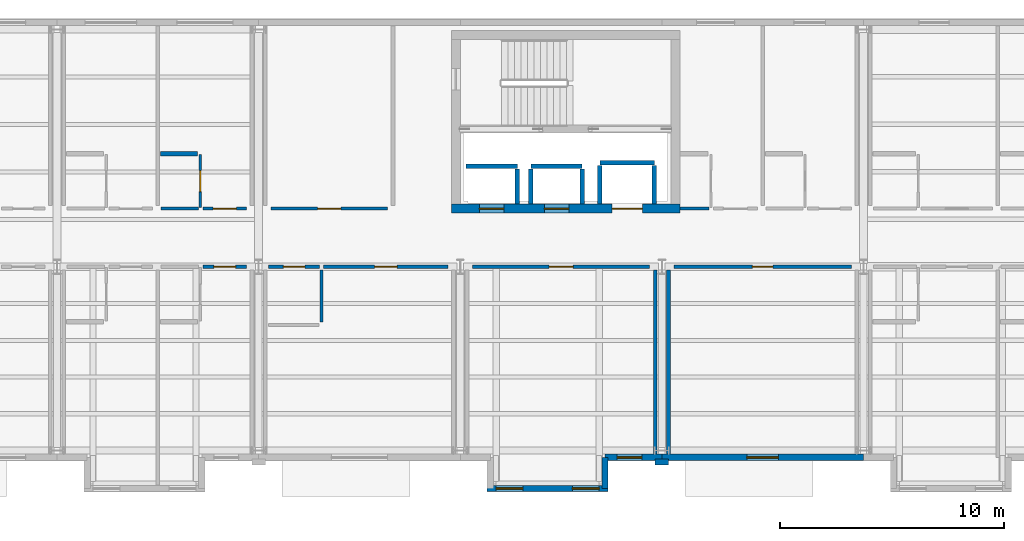
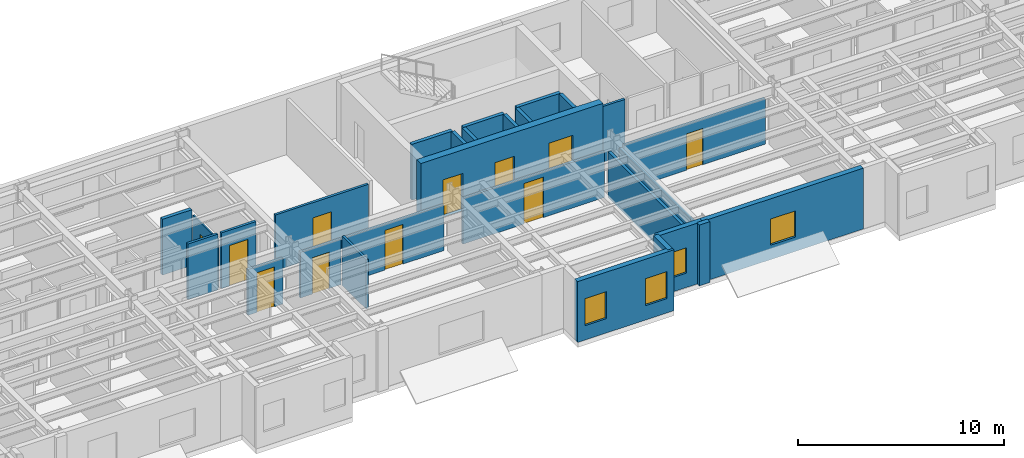
# One storey, part 18 of 34: 28 walls, 11 doors, 4 windows, 15 openings.
"""IFC4 building model written with IfcOpenShell, lengths in metres."""

import ifcopenshell
import ifcopenshell.guid

model = None  # the IFC model being written
_history = None  # IfcOwnerHistory: only IFC2X3 demands one
_inside = {}  # id of a spatial element -> (the spatial element, [elements in it])
_under = {}  # id of a project, library or spatial element -> (it, [spatial elements below it])
_declared = {}  # id of a project -> (the project, [libraries it declares])
_typed = {}  # id of a type object -> (the type object, [elements of that type])
_made_of = {}  # id of a material, layer set ... -> (it, [elements and type objects made of it])


def new_model(schema):
    """Start an empty IFC model of exactly this schema.

    Asked for "IFC4X3", IfcOpenShell would pick the latest addendum, in which some entities
    have other attributes; the version numbers below select the first issue.
    IFC2X3 requires an IfcOwnerHistory on every rooted entity: one is made here for all.
    """
    global model, _history
    if schema == "IFC4X3":
        model = ifcopenshell.file(schema_version=(4, 3, 0, 0))
    else:
        model = ifcopenshell.file(schema=schema)
    _inside.clear()
    _under.clear()
    _declared.clear()
    _typed.clear()
    _made_of.clear()
    _history = None
    if model.schema == "IFC2X3":
        org = make("IfcOrganization", Name="unknown")
        user = make(
            "IfcPersonAndOrganization",
            ThePerson=make("IfcPerson", FamilyName="unknown"),
            TheOrganization=org,
        )
        app = make(
            "IfcApplication",
            ApplicationDeveloper=org,
            Version="unknown",
            ApplicationFullName="unknown",
            ApplicationIdentifier="unknown",
        )
        _history = make(
            "IfcOwnerHistory",
            OwningUser=user,
            OwningApplication=app,
            ChangeAction="ADDED",
            CreationDate=0,
        )
    return model


def make(cls, **values):
    """One entity of the class cls with the attributes given. An attribute that is None is left unset."""
    return model.create_entity(
        cls, **{name: value for name, value in values.items() if value is not None}
    )


def rooted(cls, **values):
    """An entity with a GlobalId (a new one), such as an element, a storey or a relation."""
    return make(cls, GlobalId=ifcopenshell.guid.new(), OwnerHistory=_history, **values)


def si_unit(unit_type, name, prefix=None):
    """IfcSIUnit, for example si_unit("LENGTHUNIT", "METRE", prefix="MILLI")."""
    return make("IfcSIUnit", UnitType=unit_type, Prefix=prefix, Name=name)


def assignment(units):
    """IfcUnitAssignment: the units of a project."""
    return None if units is None else make("IfcUnitAssignment", Units=units)


def point(xyz):
    """IfcCartesianPoint."""
    return None if xyz is None else make("IfcCartesianPoint", Coordinates=xyz)


def direction(xyz):
    """IfcDirection."""
    return None if xyz is None else make("IfcDirection", DirectionRatios=xyz)


def frame(location, z_axis=None, x_axis=None):
    """IfcAxis2Placement3D, a coordinate frame: its origin and axes. An axis left out is left unset."""
    return make(
        "IfcAxis2Placement3D",
        Location=point(location),
        Axis=direction(z_axis),
        RefDirection=direction(x_axis),
    )


def frame_2d(location, x_axis=None):
    """IfcAxis2Placement2D, a coordinate frame in the plane: its origin and x axis."""
    return make(
        "IfcAxis2Placement2D", Location=point(location), RefDirection=direction(x_axis)
    )


def origin():
    """The frame at (0, 0, 0) with its axes left unset."""
    return frame((0.0, 0.0, 0.0))


def place(relative_to, where):
    """IfcLocalPlacement: puts the frame where relative to a parent placement (None: the world)."""
    return make(
        "IfcLocalPlacement", PlacementRelTo=relative_to, RelativePlacement=where
    )


def context(
    kind, dimensions, precision=None, world=None, true_north=None, identifier=None
):
    """IfcGeometricRepresentationContext, for example the 3D "Model" context."""
    return make(
        "IfcGeometricRepresentationContext",
        ContextIdentifier=identifier,
        ContextType=kind,
        CoordinateSpaceDimension=dimensions,
        Precision=precision,
        WorldCoordinateSystem=world,
        TrueNorth=true_north,
    )


def subcontext(parent, identifier, kind, view, scale=None):
    """IfcGeometricRepresentationSubContext, for example "Body" below "Model"."""
    return make(
        "IfcGeometricRepresentationSubContext",
        ContextIdentifier=identifier,
        ContextType=kind,
        ParentContext=parent,
        TargetScale=scale,
        TargetView=view,
    )


def project(units=None, contexts=None):
    """IfcProject with its units and contexts."""
    return rooted(
        "IfcProject",
        Name="project",
        RepresentationContexts=contexts,
        UnitsInContext=assignment(units),
    )


def spatial(cls, under=None, at=None, **own):
    """A site, building, storey or space (cls), placed at a placement, below another one or the project."""
    s = rooted(cls, ObjectPlacement=at, **own)
    if under is not None:
        _under.setdefault(under.id(), (under, []))[1].append(s)
    return s


def profile(cls, at=None, kind="AREA", **sizes):
    """A parametric profile (cls). Its sizes go by their IFC names, for example OverallWidth=200.0."""
    return make(cls, ProfileType=kind, Position=at, **sizes)


def rectangle(**sizes):
    """IfcRectangleProfileDef."""
    return profile("IfcRectangleProfileDef", **sizes)


def extrude(swept, where, along, depth):
    """IfcExtrudedAreaSolid: the profile swept, set in the frame where, extruded along a direction by depth."""
    return make(
        "IfcExtrudedAreaSolid",
        SweptArea=swept,
        Position=where,
        ExtrudedDirection=direction(along),
        Depth=depth,
    )


def shape(context_of_items, identifier, shape_type, items):
    """IfcShapeRepresentation: the items that make up one representation, for example the "Body"."""
    return make(
        "IfcShapeRepresentation",
        ContextOfItems=context_of_items,
        RepresentationIdentifier=identifier,
        RepresentationType=shape_type,
        Items=items,
    )


def material(Name=None, Category=None):
    """IfcMaterial."""
    return make("IfcMaterial", Name=Name, Category=Category)


def layer(
    of_material, thickness, ventilated=None, Name=None, Category=None, Priority=None
):
    """IfcMaterialLayer: one layer of a wall or slab, of a material (None: an air gap)."""
    return make(
        "IfcMaterialLayer",
        Material=of_material,
        LayerThickness=thickness,
        IsVentilated=ventilated,
        Name=Name,
        Category=Category,
        Priority=Priority,
    )


def layer_set(layers, Name=None):
    """IfcMaterialLayerSet."""
    return make("IfcMaterialLayerSet", MaterialLayers=layers, LayerSetName=Name)


def made_of(thing, what):
    """Note that an element or type object is made of a material, layer set ...; save() writes the relation."""
    if what is not None:
        _made_of.setdefault(what.id(), (what, []))[1].append(thing)
    return thing


def type_object(cls, material=None, **own):
    """A type object (cls), such as IfcWallType, which elements share."""
    return made_of(rooted(cls, **own), material)


def element(
    cls,
    number,
    at=None,
    inside=None,
    cuts=None,
    type_object=None,
    material=None,
    context=None,
    identifier="Body",
    shape_type=None,
    held_by="IfcProductDefinitionShape",
    body=None,
    shapes=None,
    **own,
):
    """One element of the class cls, such as IfcWall. Its Tag is "e" and its number.

    at: its placement. inside: the storey or other place that contains it. cuts: it is an
    opening in that element (IfcRelVoidsElement). A single representation is given by context,
    identifier, shape_type and body (its items); several are given by shapes. held_by: the class
    of the entity that holds the representations. save() writes the other relations.
    """
    e = rooted(cls, Tag="e%d" % number, ObjectPlacement=at, **own)
    if body is not None:
        shapes = [shape(context, identifier, shape_type, body)]
    if shapes is not None:
        e.Representation = make(held_by, Representations=shapes)
    if inside is not None:
        _inside.setdefault(inside.id(), (inside, []))[1].append(e)
    if cuts is not None:
        rooted(
            "IfcRelVoidsElement", RelatingBuildingElement=cuts, RelatedOpeningElement=e
        )
    if type_object is not None:
        _typed.setdefault(type_object.id(), (type_object, []))[1].append(e)
    return made_of(e, material)


def fill(opening, filler):
    """IfcRelFillsElement: the door or window that sits in an opening."""
    return rooted(
        "IfcRelFillsElement",
        RelatingOpeningElement=opening,
        RelatedBuildingElement=filler,
    )


def aggregate(whole, parts):
    """IfcRelAggregates: a whole, such as a stair, and the parts it consists of."""
    return rooted("IfcRelAggregates", RelatingObject=whole, RelatedObjects=parts)


def save(model, path):
    """Write the relations noted so far, then the file.

    IfcRelAggregates (storeys below a building ...), IfcRelContainedInSpatialStructure (elements
    in a storey), IfcRelDefinesByType, IfcRelAssociatesMaterial and IfcRelDeclares: one each for
    every whole, place, type object, material and project.
    """
    for whole, parts in _under.values():
        aggregate(whole, parts)
    for where, things in _inside.values():
        rooted(
            "IfcRelContainedInSpatialStructure",
            RelatedElements=things,
            RelatingStructure=where,
        )
    for kind, things in _typed.values():
        rooted("IfcRelDefinesByType", RelatedObjects=things, RelatingType=kind)
    for what, things in _made_of.values():
        rooted("IfcRelAssociatesMaterial", RelatedObjects=things, RelatingMaterial=what)
    for by, libraries in _declared.values():
        rooted("IfcRelDeclares", RelatingContext=by, RelatedDefinitions=libraries)
    model.write(path)


model = new_model("IFC4")

# Units and contexts
model_context = context("Model", 3, precision=1e-05, world=origin(), true_north=direction((0.0, 1.0)))
body_context = subcontext(model_context, "Body", "Model", "MODEL_VIEW")
ifc_project = project(units=[si_unit("LENGTHUNIT", "METRE"), si_unit("AREAUNIT", "SQUARE_METRE"), si_unit("VOLUMEUNIT", "CUBIC_METRE"), si_unit("PLANEANGLEUNIT", "RADIAN"), si_unit("MASSUNIT", "GRAM", prefix="KILO")], contexts=[model_context])

# Site, building, storey
site_placement = place(None, origin())
site = spatial("IfcSite", under=ifc_project, at=site_placement, CompositionType="ELEMENT")
building_placement = place(site_placement, origin())
building = spatial("IfcBuilding", under=site, at=building_placement, Name="Sollismere Congress Hotel", CompositionType="ELEMENT")
storey_placement = place(building_placement, frame((0.0, 0.0, 23.39990234375)))
storey = spatial("IfcBuildingStorey", under=building, at=storey_placement, Name="L05", CompositionType="ELEMENT", Elevation=23.39990234375)

# Wall, opening, window
ifc_material_1 = material(Name="Colorado Buff Sandstone Rainscreen on Insulated Backup", Category="masonry")
ifc_layer_1 = layer(ifc_material_1, 0.284912109375, Name="Colorado Buff Sandstone Rainscreen on Insulated Backup")
ifc_layer_set_1 = layer_set([ifc_layer_1], Name="Colorado Buff Sandstone Rainscreen on Insulated Backup")
wall_type_1 = type_object("IfcWallType", Name="WL-EXT285", PredefinedType="STANDARD", material=ifc_layer_set_1)
wall_1_placement = place(storey_placement, frame((100.4599609375, -0.31005859375, 0.0), z_axis=(0.0, 0.0, 1.0), x_axis=(1.0, 0.0, 0.0)))
wall_1 = element("IfcWall", 1, at=wall_1_placement, inside=storey, type_object=wall_type_1, Name="Exterior wall EW-L05-586", PredefinedType="STANDARD", context=body_context, shape_type="SweptSolid", body=[
    extrude(rectangle(XDim=2.5400390625, YDim=0.284912109375, at=frame_2d((1.27001953125, 0.0))), origin(), (0.0, 0.0, 1.0), 3.60009765625),
])
opening_1_placement = place(wall_1_placement, frame((0.544921875, 0.0, 0.85009765625)))
opening_1 = element("IfcOpeningElement", 2, at=opening_1_placement, cuts=wall_1, Name="Opening W-L05-439", PredefinedType="OPENING", context=body_context, shape_type="SweptSolid", body=[
    extrude(rectangle(XDim=1.10009765625, YDim=1.5, at=frame_2d((0.550048828125, 0.75))), frame((0.0, 0.15234375, 0.0), z_axis=(0.0, -1.0, 0.0), x_axis=(1.0, 0.0, 0.0)), (0.0, 0.0, 1.0), 0.304931640625),
])
ifc_material_2 = material(Name="Thermally Broken Bronze Aluminum & Low-E Glass", Category="aluminium")
window_type_1 = type_object("IfcWindowType", Name="WN-P110x150", PartitioningType="SINGLE_PANEL", PredefinedType="WINDOW", material=ifc_material_2)
window_1_placement = place(opening_1_placement, origin())
window_1 = element("IfcWindow", 3, at=window_1_placement, inside=storey, type_object=window_type_1, Name="WIN-W-L05-439", OverallHeight=1.5, OverallWidth=1.10009765625, PartitioningType="SINGLE_PANEL", PredefinedType="WINDOW", context=body_context, shape_type="SweptSolid", body=[
    extrude(rectangle(XDim=1.10009765625, YDim=1.5, at=frame_2d((0.550048828125, 0.75))), frame((0.0, 0.030029296875, 0.0), z_axis=(0.0, -1.0, 0.0), x_axis=(1.0, 0.0, 0.0)), (0.0, 0.0, 1.0), 0.06005859375),
])
fill(opening_1, window_1)

# Wall, openings, windows
wall_2_placement = place(storey_placement, frame((95.199951171875, -1.699951171875, 0.0), z_axis=(0.0, 0.0, 1.0), x_axis=(1.0, 0.0, 0.0)))
wall_2 = element("IfcWall", 4, at=wall_2_placement, inside=storey, type_object=wall_type_1, Name="Exterior wall EW-L05-587", PredefinedType="STANDARD", context=body_context, shape_type="SweptSolid", body=[
    extrude(rectangle(XDim=5.400146484375, YDim=0.284912109375, at=frame_2d((2.7001953125, 0.0))), origin(), (0.0, 0.0, 1.0), 3.60009765625),
])
opening_2_placement = place(wall_2_placement, frame((0.39990234375, 0.0, 0.85009765625)))
opening_2 = element("IfcOpeningElement", 5, at=opening_2_placement, cuts=wall_2, Name="Opening W-L05-440", PredefinedType="OPENING", context=body_context, shape_type="SweptSolid", body=[
    extrude(rectangle(XDim=1.199951171875, YDim=1.60009765625, at=frame_2d((0.60009765625, 0.800048828125))), frame((0.0, 0.15234375, 0.0), z_axis=(0.0, -1.0, 0.0), x_axis=(1.0, 0.0, 0.0)), (0.0, 0.0, 1.0), 0.304931640625),
])
opening_3_placement = place(wall_2_placement, frame((3.800048828125, 0.0, 0.85009765625)))
opening_3 = element("IfcOpeningElement", 6, at=opening_3_placement, cuts=wall_2, Name="Opening W-L05-441", PredefinedType="OPENING", context=body_context, shape_type="SweptSolid", body=[
    extrude(rectangle(XDim=1.199951171875, YDim=1.60009765625, at=frame_2d((0.60009765625, 0.800048828125))), frame((0.0, 0.15234375, 0.0), z_axis=(0.0, -1.0, 0.0), x_axis=(1.0, 0.0, 0.0)), (0.0, 0.0, 1.0), 0.304931640625),
])
window_type_2 = type_object("IfcWindowType", Name="WN-P120x160", PartitioningType="SINGLE_PANEL", PredefinedType="WINDOW", material=ifc_material_2)
window_2_placement = place(opening_2_placement, origin())
window_2 = element("IfcWindow", 7, at=window_2_placement, inside=storey, type_object=window_type_2, Name="WIN-W-L05-440", OverallHeight=1.60009765625, OverallWidth=1.199951171875, PartitioningType="SINGLE_PANEL", PredefinedType="WINDOW", context=body_context, shape_type="SweptSolid", body=[
    extrude(rectangle(XDim=1.199951171875, YDim=1.60009765625, at=frame_2d((0.60009765625, 0.800048828125))), frame((0.0, 0.030029296875, 0.0), z_axis=(0.0, -1.0, 0.0), x_axis=(1.0, 0.0, 0.0)), (0.0, 0.0, 1.0), 0.06005859375),
])
fill(opening_2, window_2)
window_3_placement = place(opening_3_placement, origin())
window_3 = element("IfcWindow", 8, at=window_3_placement, inside=storey, type_object=window_type_2, Name="WIN-W-L05-441", OverallHeight=1.60009765625, OverallWidth=1.199951171875, PartitioningType="SINGLE_PANEL", PredefinedType="WINDOW", context=body_context, shape_type="SweptSolid", body=[
    extrude(rectangle(XDim=1.199951171875, YDim=1.60009765625, at=frame_2d((0.60009765625, 0.800048828125))), frame((0.0, 0.030029296875, 0.0), z_axis=(0.0, -1.0, 0.0), x_axis=(1.0, 0.0, 0.0)), (0.0, 0.0, 1.0), 0.06005859375),
])
fill(opening_3, window_3)

# Wall
wall_3_placement = place(storey_placement, frame((100.4599609375, -1.699951171875, 0.0), z_axis=(0.0, 0.0, 1.0), x_axis=(0.0, 1.0, 0.0)))
element("IfcWall", 9, at=wall_3_placement, inside=storey, type_object=wall_type_1, Name="Exterior wall EW-L05-589", PredefinedType="STANDARD", context=body_context, shape_type="SweptSolid", body=[
    extrude(rectangle(XDim=1.389892578125, YDim=0.284912109375, at=frame_2d((0.69482421875, 0.0))), origin(), (0.0, 0.0, 1.0), 3.60009765625),
])

# Wall, opening, window
wall_4_placement = place(storey_placement, frame((103.0, -0.31005859375, 0.0), z_axis=(0.0, 0.0, 1.0), x_axis=(1.0, 0.0, 0.0)))
wall_4 = element("IfcWall", 10, at=wall_4_placement, inside=storey, type_object=wall_type_1, Name="Exterior wall EW-L05-590", PredefinedType="STANDARD", context=body_context, shape_type="SweptSolid", body=[
    extrude(rectangle(XDim=9.0, YDim=0.284912109375, at=frame_2d((4.5, 0.0))), origin(), (0.0, 0.0, 1.0), 3.60009765625),
])
opening_4_placement = place(wall_4_placement, frame((3.800048828125, 0.0, 0.85009765625)))
opening_4 = element("IfcOpeningElement", 11, at=opening_4_placement, cuts=wall_4, Name="Opening W-L05-442", PredefinedType="OPENING", context=body_context, shape_type="SweptSolid", body=[
    extrude(rectangle(XDim=1.39990234375, YDim=1.550048828125, at=frame_2d((0.699951171875, 0.77490234375))), frame((0.0, 0.15234375, 0.0), z_axis=(0.0, -1.0, 0.0), x_axis=(1.0, 0.0, 0.0)), (0.0, 0.0, 1.0), 0.304931640625),
])
window_type_3 = type_object("IfcWindowType", Name="WN-P140x155", PartitioningType="SINGLE_PANEL", PredefinedType="WINDOW", material=ifc_material_2)
window_4_placement = place(opening_4_placement, origin())
window_4 = element("IfcWindow", 12, at=window_4_placement, inside=storey, type_object=window_type_3, Name="WIN-W-L05-442", OverallHeight=1.550048828125, OverallWidth=1.39990234375, PartitioningType="SINGLE_PANEL", PredefinedType="WINDOW", context=body_context, shape_type="SweptSolid", body=[
    extrude(rectangle(XDim=1.39990234375, YDim=1.550048828125, at=frame_2d((0.699951171875, 0.77490234375))), frame((0.0, 0.030029296875, 0.0), z_axis=(0.0, -1.0, 0.0), x_axis=(1.0, 0.0, 0.0)), (0.0, 0.0, 1.0), 0.06005859375),
])
fill(opening_4, window_4)

# Walls
ifc_material_3 = material(Name="Carved Travertine Pilaster & Frieze Assembly", Category="masonry")
ifc_layer_2 = layer(ifc_material_3, 0.260009765625, Name="Carved Travertine Pilaster & Frieze Assembly")
ifc_layer_set_2 = layer_set([ifc_layer_2], Name="Carved Travertine Pilaster & Frieze Assembly")
wall_type_2 = type_object("IfcWallType", Name="WL-PIL280", PredefinedType="ELEMENTEDWALL", material=ifc_layer_set_2)
wall_5_placement = place(storey_placement, frame((102.699951171875, -0.52001953125, 0.0), z_axis=(0.0, 0.0, 1.0), x_axis=(1.0, 0.0, 0.0)))
element("IfcWall", 13, at=wall_5_placement, inside=storey, type_object=wall_type_2, Name="Exterior wall EW-L05-591", PredefinedType="ELEMENTEDWALL", context=body_context, shape_type="SweptSolid", body=[
    extrude(rectangle(XDim=0.60009765625, YDim=0.260009765625, at=frame_2d((0.300048828125, 0.0))), origin(), (0.0, 0.0, 1.0), 3.60009765625),
])
ifc_material_4 = material(Name="Moisture-Resistant Shaft Gypsum Assembly")
ifc_layer_3 = layer(ifc_material_4, 0.199951171875, Name="Moisture-Resistant Shaft Gypsum Assembly")
ifc_layer_set_3 = layer_set([ifc_layer_3], Name="Moisture-Resistant Shaft Gypsum Assembly")
wall_type_3 = type_object("IfcWallType", Name="WL-PLM200", PredefinedType="PLUMBINGWALL", material=ifc_layer_set_3)
wall_6_placement = place(storey_placement, frame((94.2548828125, 12.68994140625, 0.0), z_axis=(0.0, 0.0, 1.0), x_axis=(1.0, 0.0, 0.0)))
element("IfcWall", 14, at=wall_6_placement, inside=storey, type_object=wall_type_3, Name="Interior wall IW-L05-0292", PredefinedType="PLUMBINGWALL", context=body_context, shape_type="SweptSolid", body=[
    extrude(rectangle(XDim=2.2900390625, YDim=0.199951171875, at=frame_2d((1.14501953125, 0.0))), origin(), (0.0, 0.0, 1.0), 3.300048828125),
])
wall_7_placement = place(storey_placement, frame((96.544921875, 11.011962890625, 0.0), z_axis=(0.0, 0.0, 1.0), x_axis=(0.0, 1.0, 0.0)))
element("IfcWall", 15, at=wall_7_placement, inside=storey, type_object=wall_type_3, Name="Interior wall IW-L05-0293", PredefinedType="PLUMBINGWALL", context=body_context, shape_type="SweptSolid", body=[
    extrude(rectangle(XDim=1.56591796875, YDim=0.199951171875, at=frame_2d((0.782958984375, 0.0))), origin(), (0.0, 0.0, 1.0), 3.300048828125),
])
wall_8_placement = place(storey_placement, frame((97.155029296875, 12.68994140625, 0.0), z_axis=(0.0, 0.0, 1.0), x_axis=(1.0, 0.0, 0.0)))
element("IfcWall", 16, at=wall_8_placement, inside=storey, type_object=wall_type_3, Name="Interior wall IW-L05-0294", PredefinedType="PLUMBINGWALL", context=body_context, shape_type="SweptSolid", body=[
    extrude(rectangle(XDim=2.2900390625, YDim=0.199951171875, at=frame_2d((1.14501953125, 0.0))), origin(), (0.0, 0.0, 1.0), 3.300048828125),
])
for number, where, z_axis, x_axis, name in (
    (17, (97.155029296875, 11.011962890625, 0.0), (0.0, 0.0, 1.0), (0.0, 1.0, 0.0), "Interior wall IW-L05-0295"),
    (18, (99.445068359375, 11.011962890625, 0.0), (0.0, 0.0, 1.0), (0.0, 1.0, 0.0), "Interior wall IW-L05-0296"),
):
    element("IfcWall", number, at=place(storey_placement, frame(where, z_axis=z_axis, x_axis=x_axis)), inside=storey, type_object=wall_type_3, Name=name, PredefinedType="PLUMBINGWALL", context=body_context, shape_type="SweptSolid", body=[
        extrude(rectangle(XDim=1.56591796875, YDim=0.199951171875, at=frame_2d((0.782958984375, 0.0))), origin(), (0.0, 0.0, 1.0), 3.300048828125),
    ])
wall_9_placement = place(storey_placement, frame((100.22998046875, 12.844970703125, 0.0), z_axis=(0.0, 0.0, 1.0), x_axis=(1.0, 0.0, 0.0)))
element("IfcWall", 19, at=wall_9_placement, inside=storey, type_object=wall_type_3, Name="Interior wall IW-L05-0297", PredefinedType="PLUMBINGWALL", context=body_context, shape_type="SweptSolid", body=[
    extrude(rectangle(XDim=2.43994140625, YDim=0.199951171875, at=frame_2d((1.219970703125, 0.0))), origin(), (0.0, 0.0, 1.0), 3.300048828125),
])
for number, where, z_axis, x_axis, name in (
    (20, (100.22998046875, 11.011962890625, 0.0), (0.0, 0.0, 1.0), (0.0, 1.0, 0.0), "Interior wall IW-L05-0298"),
    (21, (102.669921875, 11.011962890625, 0.0), (0.0, 0.0, 1.0), (0.0, 1.0, 0.0), "Interior wall IW-L05-0299"),
):
    element("IfcWall", number, at=place(storey_placement, frame(where, z_axis=z_axis, x_axis=x_axis)), inside=storey, type_object=wall_type_3, Name=name, PredefinedType="PLUMBINGWALL", context=body_context, shape_type="SweptSolid", body=[
        extrude(rectangle(XDim=1.720947265625, YDim=0.199951171875, at=frame_2d((0.8603515625, 0.0))), origin(), (0.0, 0.0, 1.0), 3.300048828125),
    ])
wall_10_placement = place(storey_placement, frame((80.6201171875, 13.25, 0.0), z_axis=(0.0, 0.0, 1.0), x_axis=(1.0, 0.0, 0.0)))
element("IfcWall", 22, at=wall_10_placement, inside=storey, type_object=wall_type_3, Name="Interior wall IW-L05-1820", PredefinedType="PLUMBINGWALL", context=body_context, shape_type="SweptSolid", body=[
    extrude(rectangle(XDim=1.64990234375, YDim=0.199951171875, at=frame_2d((0.824951171875, 0.0))), origin(), (0.0, 0.0, 1.0), 3.300048828125),
])

# Wall, opening, door
ifc_material_5 = material(Name="Moisture-Resistant Gypsum Partition")
ifc_layer_4 = layer(ifc_material_5, 0.10009765625, Name="Moisture-Resistant Gypsum Partition")
ifc_layer_set_4 = layer_set([ifc_layer_4], Name="Moisture-Resistant Gypsum Partition")
wall_type_4 = type_object("IfcWallType", Name="WL-PRT100", PredefinedType="PARTITIONING", material=ifc_layer_set_4)
wall_11_placement = place(storey_placement, frame((82.389892578125, 10.840087890625, 0.0), z_axis=(0.0, 0.0, 1.0), x_axis=(0.0, 1.0, 0.0)))
wall_11 = element("IfcWall", 23, at=wall_11_placement, inside=storey, type_object=wall_type_4, Name="Interior wall IW-L05-1819", PredefinedType="PARTITIONING", context=body_context, shape_type="SweptSolid", body=[
    extrude(rectangle(XDim=2.369873046875, YDim=0.10009765625, at=frame_2d((1.18505859375, 0.0))), origin(), (0.0, 0.0, 1.0), 2.908203125),
])
opening_5_placement = place(wall_11_placement, frame((0.719970703125, 0.0, 0.0)))
opening_5 = element("IfcOpeningElement", 24, at=opening_5_placement, cuts=wall_11, Name="Opening D-L05-0642", PredefinedType="OPENING", context=body_context, shape_type="SweptSolid", body=[
    extrude(rectangle(XDim=0.929931640625, YDim=2.219970703125, at=frame_2d((0.46484375, 1.10986328125))), frame((0.0, 0.06005859375, 0.0), z_axis=(0.0, -1.0, 0.0), x_axis=(1.0, 0.0, 0.0)), (0.0, 0.0, 1.0), 0.1201171875),
])
ifc_material_6 = material(Name="Moisture-Sealed Timber Bathroom Door", Category="wood")
door_type_1 = type_object("IfcDoorType", Name="DR-BT07", OperationType="NOTDEFINED", PredefinedType="DOOR", material=ifc_material_6)
door_1_placement = place(opening_5_placement, origin())
door_1 = element("IfcDoor", 25, at=door_1_placement, inside=storey, type_object=door_type_1, Name="En-suite bathroom door D-L05-0642", OperationType="SINGLE_SWING_LEFT", OverallHeight=2.219970703125, OverallWidth=0.929931640625, PredefinedType="DOOR", context=body_context, shape_type="SweptSolid", body=[
    extrude(rectangle(XDim=0.929931640625, YDim=2.219970703125, at=frame_2d((0.46484375, 1.10986328125))), frame((0.0, 0.02490234375, 0.0), z_axis=(0.0, -1.0, 0.0), x_axis=(1.0, 0.0, 0.0)), (0.0, 0.0, 1.0), 0.050048828125),
])
fill(opening_5, door_1)

ifc_material_7 = material(Name="Fire-Rated Gypsum Partition")
ifc_layer_5 = layer(ifc_material_7, 0.139892578125, Name="Fire-Rated Gypsum Partition")
ifc_layer_set_5 = layer_set([ifc_layer_5], Name="Fire-Rated Gypsum Partition")
wall_type_5 = type_object("IfcWallType", Name="WL-PRT140R", PredefinedType="PARTITIONING", material=ifc_layer_set_5)
wall_12_placement = place(storey_placement, frame((82.510009765625, 8.199951171875, 0.0), z_axis=(0.0, 0.0, 1.0), x_axis=(1.0, 0.0, 0.0)))
wall_12 = element("IfcWall", 26, at=wall_12_placement, inside=storey, type_object=wall_type_5, Name="Interior wall IW-L05-1806", PredefinedType="PARTITIONING", context=body_context, shape_type="SweptSolid", body=[
    extrude(rectangle(XDim=1.949951171875, YDim=0.139892578125, at=frame_2d((0.97509765625, 0.0))), origin(), (0.0, 0.0, 1.0), 2.713134765625),
])
opening_6_placement = place(wall_12_placement, frame((0.485107421875, 0.0, 0.0)))
opening_6 = element("IfcOpeningElement", 27, at=opening_6_placement, cuts=wall_12, Name="Opening D-L05-0637", PredefinedType="OPENING", context=body_context, shape_type="SweptSolid", body=[
    extrude(rectangle(XDim=0.97998046875, YDim=2.35009765625, at=frame_2d((0.489990234375, 1.175048828125))), frame((0.0, 0.079833984375, 0.0), z_axis=(0.0, -1.0, 0.0), x_axis=(1.0, 0.0, 0.0)), (0.0, 0.0, 1.0), 0.159912109375),
])
ifc_material_8 = material(Name="Solid-Core Acoustic Walnut Guestroom Entry Door")
door_type_2 = type_object("IfcDoorType", Name="DR-KY09", OperationType="NOTDEFINED", PredefinedType="DOOR", material=ifc_material_8)
door_2_placement = place(opening_6_placement, origin())
door_2 = element("IfcDoor", 28, at=door_2_placement, inside=storey, type_object=door_type_2, Name="Hotel room entry door D-L05-0637", OperationType="SINGLE_SWING_RIGHT", OverallHeight=2.35009765625, OverallWidth=0.97998046875, PredefinedType="DOOR", context=body_context, shape_type="SweptSolid", body=[
    extrude(rectangle(XDim=0.97998046875, YDim=2.35009765625, at=frame_2d((0.489990234375, 1.175048828125))), frame((0.0, 0.02490234375, 0.0), z_axis=(0.0, -1.0, 0.0), x_axis=(1.0, 0.0, 0.0)), (0.0, 0.0, 1.0), 0.050048828125),
])
fill(opening_6, door_2)

# Wall
wall_13_placement = place(storey_placement, frame((80.639892578125, 10.800048828125, 0.0), z_axis=(0.0, 0.0, 1.0), x_axis=(1.0, 0.0, 0.0)))
element("IfcWall", 29, at=wall_13_placement, inside=storey, type_object=wall_type_5, Name="Interior wall IW-L05-1816", PredefinedType="PARTITIONING", context=body_context, shape_type="SweptSolid", body=[
    extrude(rectangle(XDim=1.670166015625, YDim=0.139892578125, at=frame_2d((0.8349609375, 0.0))), origin(), (0.0, 0.0, 1.0), 3.300048828125),
])

# Wall, opening, door
wall_14_placement = place(storey_placement, frame((82.510009765625, 10.800048828125, 0.0), z_axis=(0.0, 0.0, 1.0), x_axis=(1.0, 0.0, 0.0)))
wall_14 = element("IfcWall", 30, at=wall_14_placement, inside=storey, type_object=wall_type_5, Name="Interior wall IW-L05-1817", PredefinedType="PARTITIONING", context=body_context, shape_type="SweptSolid", body=[
    extrude(rectangle(XDim=1.949951171875, YDim=0.139892578125, at=frame_2d((0.97509765625, 0.0))), origin(), (0.0, 0.0, 1.0), 3.300048828125),
])
opening_7_placement = place(wall_14_placement, frame((0.455078125, 0.0, 0.0)))
opening_7 = element("IfcOpeningElement", 31, at=opening_7_placement, cuts=wall_14, Name="Opening D-L05-0641", PredefinedType="OPENING", context=body_context, shape_type="SweptSolid", body=[
    extrude(rectangle(XDim=1.0400390625, YDim=2.39990234375, at=frame_2d((0.52001953125, 1.199951171875))), frame((0.0, 0.079833984375, 0.0), z_axis=(0.0, -1.0, 0.0), x_axis=(1.0, 0.0, 0.0)), (0.0, 0.0, 1.0), 0.159912109375),
])
door_type_3 = type_object("IfcDoorType", Name="DR-KY11", OperationType="NOTDEFINED", PredefinedType="DOOR", material=ifc_material_8)
door_3_placement = place(opening_7_placement, origin())
door_3 = element("IfcDoor", 32, at=door_3_placement, inside=storey, type_object=door_type_3, Name="Hotel room entry door D-L05-0641", OperationType="SINGLE_SWING_RIGHT", OverallHeight=2.39990234375, OverallWidth=1.0400390625, PredefinedType="DOOR", context=body_context, shape_type="SweptSolid", body=[
    extrude(rectangle(XDim=1.0400390625, YDim=2.39990234375, at=frame_2d((0.52001953125, 1.199951171875))), frame((0.0, 0.02490234375, 0.0), z_axis=(0.0, -1.0, 0.0), x_axis=(1.0, 0.0, 0.0)), (0.0, 0.0, 1.0), 0.050048828125),
])
fill(opening_7, door_3)

# Wall
wall_15_placement = place(storey_placement, frame((103.800048828125, 10.800048828125, 0.0), z_axis=(0.0, 0.0, 1.0), x_axis=(1.0, 0.0, 0.0)))
element("IfcWall", 33, at=wall_15_placement, inside=storey, type_object=wall_type_5, Name="Interior wall IW-L05-1821", PredefinedType="PARTITIONING", context=body_context, shape_type="SweptSolid", body=[
    extrude(rectangle(XDim=1.31005859375, YDim=0.139892578125, at=frame_2d((0.655029296875, 0.0))), origin(), (0.0, 0.0, 1.0), 3.300048828125),
])

# Wall, opening, door
wall_16_placement = place(storey_placement, frame((85.43994140625, 8.199951171875, 0.0), z_axis=(0.0, 0.0, 1.0), x_axis=(1.0, 0.0, 0.0)))
wall_16 = element("IfcWall", 34, at=wall_16_placement, inside=storey, type_object=wall_type_5, Name="Interior wall IW-L05-1946", PredefinedType="PARTITIONING", context=body_context, shape_type="SweptSolid", body=[
    extrude(rectangle(XDim=2.280029296875, YDim=0.139892578125, at=frame_2d((1.14013671875, 0.0))), origin(), (0.0, 0.0, 1.0), 2.713134765625),
])
opening_8_placement = place(wall_16_placement, frame((0.659912109375, 0.0, 0.0)))
opening_8 = element("IfcOpeningElement", 35, at=opening_8_placement, cuts=wall_16, Name="Opening D-L05-0687", PredefinedType="OPENING", context=body_context, shape_type="SweptSolid", body=[
    extrude(rectangle(XDim=0.9599609375, YDim=2.14990234375, at=frame_2d((0.47998046875, 1.074951171875))), frame((0.0, 0.079833984375, 0.0), z_axis=(0.0, -1.0, 0.0), x_axis=(1.0, 0.0, 0.0)), (0.0, 0.0, 1.0), 0.159912109375),
])
ifc_material_9 = material(Name="Fire-Rated Accessible Restroom Door")
door_type_4 = type_object("IfcDoorType", Name="DR-AWC01", OperationType="NOTDEFINED", PredefinedType="DOOR", material=ifc_material_9)
door_4_placement = place(opening_8_placement, origin())
door_4 = element("IfcDoor", 36, at=door_4_placement, inside=storey, type_object=door_type_4, Name="Accessible restroom door D-L05-0687", OperationType="SINGLE_SWING_RIGHT", OverallHeight=2.14990234375, OverallWidth=0.9599609375, PredefinedType="DOOR", context=body_context, shape_type="SweptSolid", body=[
    extrude(rectangle(XDim=0.9599609375, YDim=2.14990234375, at=frame_2d((0.47998046875, 1.074951171875))), frame((0.0, 0.02490234375, 0.0), z_axis=(0.0, -1.0, 0.0), x_axis=(1.0, 0.0, 0.0)), (0.0, 0.0, 1.0), 0.050048828125),
])
fill(opening_8, door_4)

# Wall
wall_17_placement = place(storey_placement, frame((87.800048828125, 5.739990234375, 0.0), z_axis=(0.0, 0.0, 1.0), x_axis=(0.0, 1.0, 0.0)))
element("IfcWall", 37, at=wall_17_placement, inside=storey, type_object=wall_type_5, Name="Interior wall IW-L05-1947", PredefinedType="PARTITIONING", context=body_context, shape_type="SweptSolid", body=[
    extrude(rectangle(XDim=2.320068359375, YDim=0.139892578125, at=frame_2d((1.16015625, 0.0))), origin(), (0.0, 0.0, 1.0), 2.908203125),
])

# Wall, opening, door
wall_18_placement = place(storey_placement, frame((87.89990234375, 8.199951171875, 0.0), z_axis=(0.0, 0.0, 1.0), x_axis=(1.0, 0.0, 0.0)))
wall_18 = element("IfcWall", 38, at=wall_18_placement, inside=storey, type_object=wall_type_5, Name="Interior wall IW-L05-1949", PredefinedType="PARTITIONING", context=body_context, shape_type="SweptSolid", body=[
    extrude(rectangle(XDim=5.56005859375, YDim=0.139892578125, at=frame_2d((2.780029296875, 0.0))), origin(), (0.0, 0.0, 1.0), 2.713134765625),
])
opening_9_placement = place(wall_18_placement, frame((2.27490234375, 0.0, 0.0)))
opening_9 = element("IfcOpeningElement", 39, at=opening_9_placement, cuts=wall_18, Name="Opening D-L05-0688", PredefinedType="OPENING", context=body_context, shape_type="SweptSolid", body=[
    extrude(rectangle(XDim=1.010009765625, YDim=2.35009765625, at=frame_2d((0.5048828125, 1.175048828125))), frame((0.0, 0.079833984375, 0.0), z_axis=(0.0, -1.0, 0.0), x_axis=(1.0, 0.0, 0.0)), (0.0, 0.0, 1.0), 0.159912109375),
])
door_type_5 = type_object("IfcDoorType", Name="DR-KY10", OperationType="NOTDEFINED", PredefinedType="DOOR", material=ifc_material_8)
door_5_placement = place(opening_9_placement, origin())
door_5 = element("IfcDoor", 40, at=door_5_placement, inside=storey, type_object=door_type_5, Name="Hotel room entry door D-L05-0688", OperationType="SINGLE_SWING_LEFT", OverallHeight=2.35009765625, OverallWidth=1.010009765625, PredefinedType="DOOR", context=body_context, shape_type="SweptSolid", body=[
    extrude(rectangle(XDim=1.010009765625, YDim=2.35009765625, at=frame_2d((0.5048828125, 1.175048828125))), frame((0.0, 0.02490234375, 0.0), z_axis=(0.0, -1.0, 0.0), x_axis=(1.0, 0.0, 0.0)), (0.0, 0.0, 1.0), 0.050048828125),
])
fill(opening_9, door_5)

wall_19_placement = place(storey_placement, frame((85.5400390625, 10.800048828125, 0.0), z_axis=(0.0, 0.0, 1.0), x_axis=(1.0, 0.0, 0.0)))
wall_19 = element("IfcWall", 41, at=wall_19_placement, inside=storey, type_object=wall_type_5, Name="Interior wall IW-L05-1952", PredefinedType="PARTITIONING", context=body_context, shape_type="SweptSolid", body=[
    extrude(rectangle(XDim=5.219970703125, YDim=0.139892578125, at=frame_2d((2.60986328125, 0.0))), origin(), (0.0, 0.0, 1.0), 3.300048828125),
])
opening_10_placement = place(wall_19_placement, frame((2.090087890625, 0.0, 0.0)))
opening_10 = element("IfcOpeningElement", 42, at=opening_10_placement, cuts=wall_19, Name="Opening D-L05-0689", PredefinedType="OPENING", context=body_context, shape_type="SweptSolid", body=[
    extrude(rectangle(XDim=1.0400390625, YDim=2.39990234375, at=frame_2d((0.52001953125, 1.199951171875))), frame((0.0, 0.079833984375, 0.0), z_axis=(0.0, -1.0, 0.0), x_axis=(1.0, 0.0, 0.0)), (0.0, 0.0, 1.0), 0.159912109375),
])
door_6_placement = place(opening_10_placement, origin())
door_6 = element("IfcDoor", 43, at=door_6_placement, inside=storey, type_object=door_type_3, Name="Hotel room entry door D-L05-0689", OperationType="SINGLE_SWING_RIGHT", OverallHeight=2.39990234375, OverallWidth=1.0400390625, PredefinedType="DOOR", context=body_context, shape_type="SweptSolid", body=[
    extrude(rectangle(XDim=1.0400390625, YDim=2.39990234375, at=frame_2d((0.52001953125, 1.199951171875))), frame((0.0, 0.02490234375, 0.0), z_axis=(0.0, -1.0, 0.0), x_axis=(1.0, 0.0, 0.0)), (0.0, 0.0, 1.0), 0.050048828125),
])
fill(opening_10, door_6)

wall_20_placement = place(storey_placement, frame((94.5400390625, 8.199951171875, 0.0), z_axis=(0.0, 0.0, 1.0), x_axis=(1.0, 0.0, 0.0)))
wall_20 = element("IfcWall", 44, at=wall_20_placement, inside=storey, type_object=wall_type_5, Name="Interior wall IW-L05-1955", PredefinedType="PARTITIONING", context=body_context, shape_type="SweptSolid", body=[
    extrude(rectangle(XDim=7.919921875, YDim=0.139892578125, at=frame_2d((3.9599609375, 0.0))), origin(), (0.0, 0.0, 1.0), 2.713134765625),
])
opening_11_placement = place(wall_20_placement, frame((3.425048828125, 0.0, 0.0)))
opening_11 = element("IfcOpeningElement", 45, at=opening_11_placement, cuts=wall_20, Name="Opening D-L05-0690", PredefinedType="OPENING", context=body_context, shape_type="SweptSolid", body=[
    extrude(rectangle(XDim=1.070068359375, YDim=2.39990234375, at=frame_2d((0.53515625, 1.199951171875))), frame((0.0, 0.079833984375, 0.0), z_axis=(0.0, -1.0, 0.0), x_axis=(1.0, 0.0, 0.0)), (0.0, 0.0, 1.0), 0.159912109375),
])
door_type_6 = type_object("IfcDoorType", Name="DR-KY12", OperationType="NOTDEFINED", PredefinedType="DOOR", material=ifc_material_8)
door_7_placement = place(opening_11_placement, origin())
door_7 = element("IfcDoor", 46, at=door_7_placement, inside=storey, type_object=door_type_6, Name="Hotel room entry door D-L05-0690", OperationType="SINGLE_SWING_LEFT", OverallHeight=2.39990234375, OverallWidth=1.070068359375, PredefinedType="DOOR", context=body_context, shape_type="SweptSolid", body=[
    extrude(rectangle(XDim=1.070068359375, YDim=2.39990234375, at=frame_2d((0.53515625, 1.199951171875))), frame((0.0, 0.02490234375, 0.0), z_axis=(0.0, -1.0, 0.0), x_axis=(1.0, 0.0, 0.0)), (0.0, 0.0, 1.0), 0.050048828125),
])
fill(opening_11, door_7)

wall_21_placement = place(storey_placement, frame((103.5400390625, 8.199951171875, 0.0), z_axis=(0.0, 0.0, 1.0), x_axis=(1.0, 0.0, 0.0)))
wall_21 = element("IfcWall", 47, at=wall_21_placement, inside=storey, type_object=wall_type_5, Name="Interior wall IW-L05-1958", PredefinedType="PARTITIONING", context=body_context, shape_type="SweptSolid", body=[
    extrude(rectangle(XDim=7.919921875, YDim=0.139892578125, at=frame_2d((3.9599609375, 0.0))), origin(), (0.0, 0.0, 1.0), 2.713134765625),
])
opening_12_placement = place(wall_21_placement, frame((3.5, 0.0, 0.0)))
opening_12 = element("IfcOpeningElement", 48, at=opening_12_placement, cuts=wall_21, Name="Opening D-L05-0691", PredefinedType="OPENING", context=body_context, shape_type="SweptSolid", body=[
    extrude(rectangle(XDim=0.919921875, YDim=2.14990234375, at=frame_2d((0.4599609375, 1.074951171875))), frame((0.0, 0.079833984375, 0.0), z_axis=(0.0, -1.0, 0.0), x_axis=(1.0, 0.0, 0.0)), (0.0, 0.0, 1.0), 0.159912109375),
])
door_type_7 = type_object("IfcDoorType", Name="DR-KY01", OperationType="NOTDEFINED", PredefinedType="DOOR", material=ifc_material_8)
door_8_placement = place(opening_12_placement, origin())
door_8 = element("IfcDoor", 49, at=door_8_placement, inside=storey, type_object=door_type_7, Name="Hotel room entry door D-L05-0691", OperationType="SINGLE_SWING_RIGHT", OverallHeight=2.14990234375, OverallWidth=0.919921875, PredefinedType="DOOR", context=body_context, shape_type="SweptSolid", body=[
    extrude(rectangle(XDim=0.919921875, YDim=2.14990234375, at=frame_2d((0.4599609375, 1.074951171875))), frame((0.0, 0.02490234375, 0.0), z_axis=(0.0, -1.0, 0.0), x_axis=(1.0, 0.0, 0.0)), (0.0, 0.0, 1.0), 0.050048828125),
])
fill(opening_12, door_8)

# Walls
ifc_material_10 = material(Name="Fire-Rated Acoustic Gypsum Partition")
ifc_layer_6 = layer(ifc_material_10, 0.1650390625, Name="Fire-Rated Acoustic Gypsum Partition")
ifc_layer_set_6 = layer_set([ifc_layer_6], Name="Fire-Rated Acoustic Gypsum Partition")
wall_type_6 = type_object("IfcWallType", Name="WL-PRT165R", PredefinedType="PARTITIONING", material=ifc_layer_set_6)
for number, where, z_axis, x_axis, name in (
    (50, (102.699951171875, -0.152587890625, 0.0), (0.0, 0.0, 1.0), (0.0, 1.0, 0.0), "Interior wall IW-L05-1957"),
    (51, (103.300048828125, -0.152587890625, 0.0), (0.0, 0.0, 1.0), (0.0, 1.0, 0.0), "Interior wall IW-L05-1959"),
):
    element("IfcWall", number, at=place(storey_placement, frame(where, z_axis=z_axis, x_axis=x_axis)), inside=storey, type_object=wall_type_6, Name=name, PredefinedType="PARTITIONING", context=body_context, shape_type="SweptSolid", body=[
        extrude(rectangle(XDim=8.212646484375, YDim=0.1650390625, at=frame_2d((4.1064453125, 0.0))), origin(), (0.0, 0.0, 1.0), 2.690185546875),
    ])

# Wall, openings, doors
ifc_material_11 = material(Name="Concrete C50/60", Category="concrete")
ifc_layer_7 = layer(ifc_material_11, 0.39990234375, Name="Concrete C50/60")
ifc_layer_set_7 = layer_set([ifc_layer_7], Name="Concrete C50/60")
wall_type_7 = type_object("IfcWallType", Name="WL-SHR400", PredefinedType="SHEAR", material=ifc_layer_set_7)
wall_22_placement = place(storey_placement, frame((93.60009765625, 10.800048828125, 0.0), z_axis=(0.0, 0.0, 1.0), x_axis=(1.0, 0.0, 0.0)))
wall_22 = element("IfcWall", 52, at=wall_22_placement, inside=storey, type_object=wall_type_7, Name="Interior wall IW-L05-0287", PredefinedType="SHEAR", context=body_context, shape_type="SweptSolid", body=[
    extrude(rectangle(XDim=10.199951171875, YDim=0.39990234375, at=frame_2d((5.10009765625, 0.0))), origin(), (0.0, 0.0, 1.0), 3.60009765625),
])
opening_13_placement = place(wall_22_placement, frame((1.25, 0.0, 0.0)))
opening_13 = element("IfcOpeningElement", 53, at=opening_13_placement, cuts=wall_22, Name="Opening LD-LP-03-L05", PredefinedType="OPENING", context=body_context, shape_type="SweptSolid", body=[
    extrude(rectangle(XDim=1.10009765625, YDim=2.199951171875, at=frame_2d((0.550048828125, 1.10009765625))), frame((0.0, 0.2099609375, 0.0), z_axis=(0.0, -1.0, 0.0), x_axis=(1.0, 0.0, 0.0)), (0.0, 0.0, 1.0), 0.419921875),
])
opening_14_placement = place(wall_22_placement, frame((4.14990234375, 0.0, 0.0)))
opening_14 = element("IfcOpeningElement", 54, at=opening_14_placement, cuts=wall_22, Name="Opening LD-LP-04-L05", PredefinedType="OPENING", context=body_context, shape_type="SweptSolid", body=[
    extrude(rectangle(XDim=1.10009765625, YDim=2.199951171875, at=frame_2d((0.550048828125, 1.10009765625))), frame((0.0, 0.2099609375, 0.0), z_axis=(0.0, -1.0, 0.0), x_axis=(1.0, 0.0, 0.0)), (0.0, 0.0, 1.0), 0.419921875),
])
opening_15_placement = place(wall_22_placement, frame((7.175048828125, 0.0, 0.0)))
opening_15 = element("IfcOpeningElement", 55, at=opening_15_placement, cuts=wall_22, Name="Opening LD-LS-01-L05", PredefinedType="OPENING", context=body_context, shape_type="SweptSolid", body=[
    extrude(rectangle(XDim=1.35009765625, YDim=2.300048828125, at=frame_2d((0.675048828125, 1.14990234375))), frame((0.0, 0.2099609375, 0.0), z_axis=(0.0, -1.0, 0.0), x_axis=(1.0, 0.0, 0.0)), (0.0, 0.0, 1.0), 0.419921875),
])
ifc_material_12 = material(Name="Brushed Bronze Sliding Elevator Landing Door")
door_type_8 = type_object("IfcDoorType", Name="DR-LD110", OperationType="NOTDEFINED", PredefinedType="DOOR", material=ifc_material_12)
door_9_placement = place(opening_13_placement, origin())
door_9 = element("IfcDoor", 56, at=door_9_placement, inside=storey, type_object=door_type_8, Name="Elevator landing door LD-LP-03-L05", OperationType="SLIDING_TO_LEFT", OverallHeight=2.199951171875, OverallWidth=1.10009765625, PredefinedType="DOOR", context=body_context, shape_type="SweptSolid", body=[
    extrude(rectangle(XDim=1.10009765625, YDim=2.199951171875, at=frame_2d((0.550048828125, 1.10009765625))), frame((0.0, 0.02490234375, 0.0), z_axis=(0.0, -1.0, 0.0), x_axis=(1.0, 0.0, 0.0)), (0.0, 0.0, 1.0), 0.050048828125),
])
fill(opening_13, door_9)
door_10_placement = place(opening_14_placement, origin())
door_10 = element("IfcDoor", 57, at=door_10_placement, inside=storey, type_object=door_type_8, Name="Elevator landing door LD-LP-04-L05", OperationType="SLIDING_TO_RIGHT", OverallHeight=2.199951171875, OverallWidth=1.10009765625, PredefinedType="DOOR", context=body_context, shape_type="SweptSolid", body=[
    extrude(rectangle(XDim=1.10009765625, YDim=2.199951171875, at=frame_2d((0.550048828125, 1.10009765625))), frame((0.0, 0.02490234375, 0.0), z_axis=(0.0, -1.0, 0.0), x_axis=(1.0, 0.0, 0.0)), (0.0, 0.0, 1.0), 0.050048828125),
])
fill(opening_14, door_10)
ifc_material_13 = material(Name="Heavy-Duty Stainless Sliding Service Landing Door")
door_type_9 = type_object("IfcDoorType", Name="DR-LD135", OperationType="NOTDEFINED", PredefinedType="DOOR", material=ifc_material_13)
door_11_placement = place(opening_15_placement, origin())
door_11 = element("IfcDoor", 58, at=door_11_placement, inside=storey, type_object=door_type_9, Name="Elevator landing door LD-LS-01-L05", OperationType="SLIDING_TO_LEFT", OverallHeight=2.300048828125, OverallWidth=1.35009765625, PredefinedType="DOOR", context=body_context, shape_type="SweptSolid", body=[
    extrude(rectangle(XDim=1.35009765625, YDim=2.300048828125, at=frame_2d((0.675048828125, 1.14990234375))), frame((0.0, 0.02490234375, 0.0), z_axis=(0.0, -1.0, 0.0), x_axis=(1.0, 0.0, 0.0)), (0.0, 0.0, 1.0), 0.050048828125),
])
fill(opening_15, door_11)

save(model, "model.ifc")
